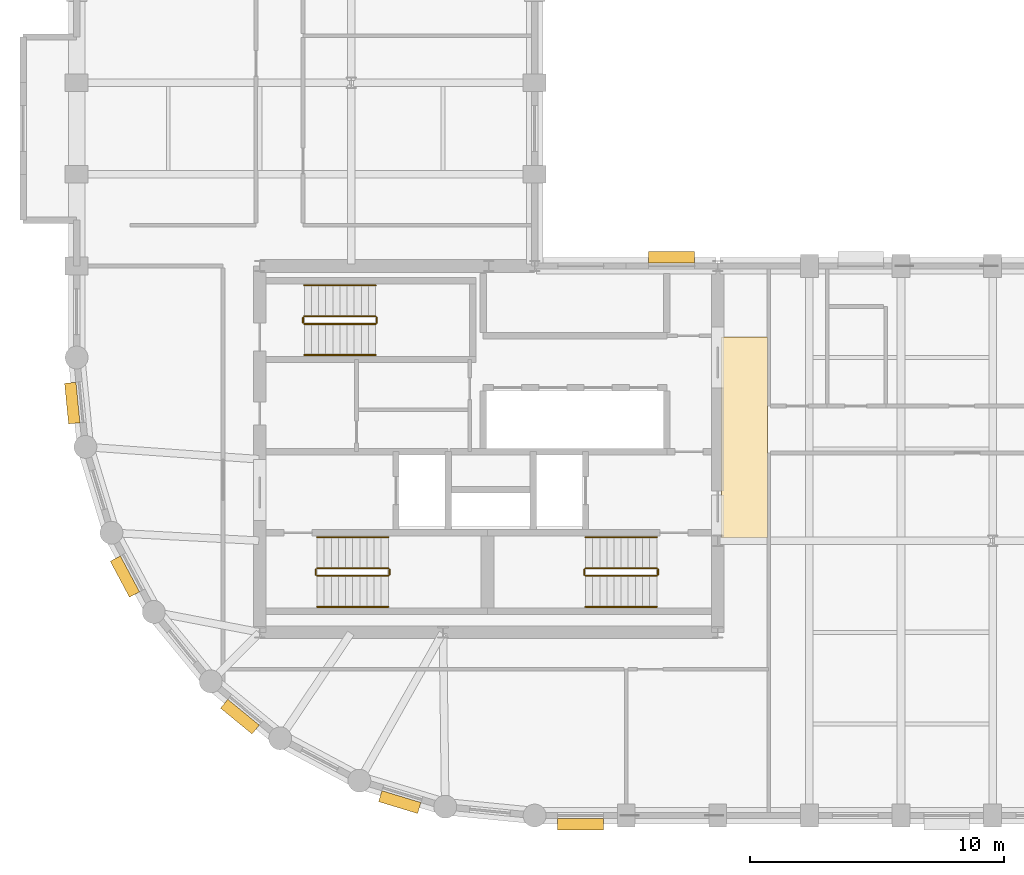
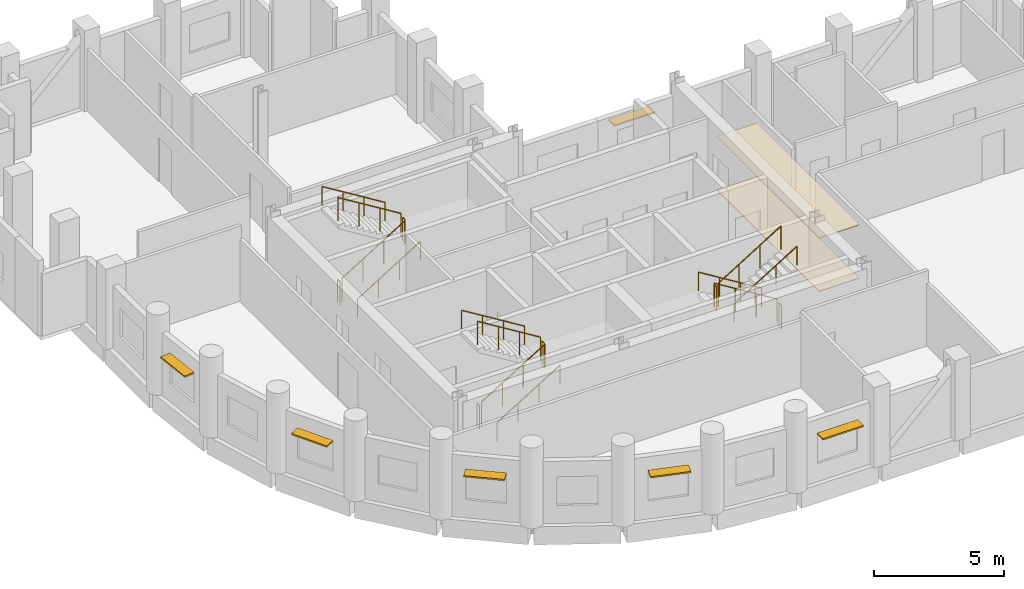
# One storey, part 7 of 8: 18 railings, 6 shading devices, 2 coverings.
"""IFC4 building model written with IfcOpenShell, lengths in metres."""

from ifc_helpers import new_model, si_unit, direction, frame, origin, origin_2d, place, context, subcontext, project, spatial, polyline, rectangle, circle, outline, extrude, material, layer, layer_set, type_object, element, save


model = new_model("IFC4")

# Units and contexts
model_context = context("Model", 3, precision=1e-05, world=origin(), true_north=direction((0.0, 1.0)))
body_context = subcontext(model_context, "Body", "Model", "MODEL_VIEW")
ifc_project = project(units=[si_unit("LENGTHUNIT", "METRE"), si_unit("AREAUNIT", "SQUARE_METRE"), si_unit("VOLUMEUNIT", "CUBIC_METRE"), si_unit("PLANEANGLEUNIT", "RADIAN"), si_unit("MASSUNIT", "GRAM", prefix="KILO")], contexts=[model_context])

# Site, building, storey
site_placement = place(None, origin())
site = spatial("IfcSite", under=ifc_project, at=site_placement, CompositionType="ELEMENT")
building_placement = place(site_placement, origin())
building = spatial("IfcBuilding", under=site, at=building_placement, Name="Solnavia Interchange Tower", CompositionType="ELEMENT")
storey_placement = place(building_placement, frame((0.0, 0.0, 197.60009765625)))
storey = spatial("IfcBuildingStorey", under=building, at=storey_placement, Name="L49", CompositionType="ELEMENT", Elevation=197.60009765625)

# Coverings
ifc_material_1 = material(Name="Perforated Mineral-Fibre & Gypsum Ceiling", Category="gypsum")
ifc_layer_1 = layer(ifc_material_1, 0.0400390625)
ifc_layer_set_1 = layer_set([ifc_layer_1], Name="Perforated Mineral-Fibre & Gypsum Ceiling")
covering_type_1 = type_object("IfcCoveringType", Name="Covering-Ceiling-Acoustic40", PredefinedType="CEILING", material=ifc_layer_set_1)
covering_1_placement = place(storey_placement, frame((0.0, 0.0, 2.5)))
element("IfcCovering", 1, at=covering_1_placement, inside=storey, type_object=covering_type_1, Name="CLG-L49-01 Circulation suspended acoustic ceiling", PredefinedType="CEILING", context=body_context, shape_type="SweptSolid", body=[
    extrude(outline(polyline([(32.550048828125, 14.5), (34.35009765625, 14.5), (34.35009765625, 22.39990234375), (32.550048828125, 22.39990234375), (32.550048828125, 14.5)])), origin(), (0.0, 0.0, 1.0), 0.039794921875),
])
ifc_material_2 = material(Name="Engineered European Oak Flooring", Category="wood")
ifc_layer_2 = layer(ifc_material_2, 0.02001953125)
ifc_layer_set_2 = layer_set([ifc_layer_2], Name="Engineered European Oak Flooring")
covering_type_2 = type_object("IfcCoveringType", Name="Covering-Flooring-Timber20", PredefinedType="FLOORING", material=ifc_layer_set_2)
covering_2_placement = place(storey_placement, origin())
element("IfcCovering", 2, at=covering_2_placement, inside=storey, type_object=covering_type_2, Name="FLR-L49-01 Circulation floor finish", PredefinedType="FLOORING", context=body_context, shape_type="SweptSolid", body=[
    extrude(outline(polyline([(32.550048828125, 14.5), (34.35009765625, 14.5), (34.35009765625, 22.39990234375), (32.550048828125, 22.39990234375), (32.550048828125, 14.5)])), origin(), (0.0, 0.0, 1.0), 0.02001953125),
])

# Railings
ifc_material_3 = material(Name="Painted Steel Balustrade", Category="steel")
railing_type_1 = type_object("IfcRailingType", Name="Railing-StairGuard-1100", PredefinedType="GUARDRAIL", material=ifc_material_3)
railing_1_placement = place(storey_placement, frame((16.64990234375, 13.02001953125, 0.172607421875)))
element("IfcRailing", 3, at=railing_1_placement, inside=storey, type_object=railing_type_1, Name="L49 ST-1 stair guard 1", PredefinedType="GUARDRAIL", context=body_context, shape_type="SweptSolid", body=[
    extrude(circle(Radius=0.02392578125, at=origin_2d()), frame((0.0, 0.0, 1.09619140625), z_axis=(0.851089632645, 0.0, 0.525020415988), x_axis=(0.0, 1.0, 0.0)), (0.0, 0.0, 1.0), 3.2900390625),
    extrude(circle(Radius=0.02099609375, at=origin_2d()), origin(), (0.0, 0.0, 1.0), 1.072021484375),
    extrude(circle(Radius=0.02099609375, at=origin_2d()), frame((0.933349609375, 0.0, 0.57568359375)), (0.0, 0.0, 1.0), 1.072021484375),
    extrude(circle(Radius=0.02099609375, at=origin_2d()), frame((1.86669921875, 0.0, 1.151611328125)), (0.0, 0.0, 1.0), 1.072021484375),
    extrude(circle(Radius=0.02099609375, at=origin_2d()), frame((2.800048828125, 0.0, 1.727294921875)), (0.0, 0.0, 1.0), 1.072021484375),
])
railing_2_placement = place(storey_placement, frame((19.5, 13.070068359375, 1.89990234375)))
element("IfcRailing", 4, at=railing_2_placement, inside=storey, type_object=railing_type_1, Name="L49 ST-1 stair guard 2", PredefinedType="GUARDRAIL", context=body_context, shape_type="SweptSolid", body=[
    extrude(circle(Radius=0.02392578125, at=origin_2d()), frame((0.0, 0.0, 1.09619140625), z_axis=(0.0, 1.0, 0.0), x_axis=(-1.0, 0.0, 0.0)), (0.0, 0.0, 1.0), 0.199951171875),
    extrude(circle(Radius=0.02099609375, at=origin_2d()), origin(), (0.0, 0.0, 1.0), 1.072021484375),
    extrude(circle(Radius=0.02099609375, at=origin_2d()), frame((0.0, 0.199951171875, 0.0)), (0.0, 0.0, 1.0), 1.072021484375),
])
railing_3_placement = place(storey_placement, frame((19.449951171875, 13.320068359375, 2.072509765625)))
element("IfcRailing", 5, at=railing_3_placement, inside=storey, type_object=railing_type_1, Name="L49 ST-1 stair guard 3", PredefinedType="GUARDRAIL", context=body_context, shape_type="SweptSolid", body=[
    extrude(circle(Radius=0.02392578125, at=origin_2d()), frame((0.0, 0.0, 1.09619140625), z_axis=(-0.851089632645, 0.0, 0.525020415988), x_axis=(0.0, -1.0, 0.0)), (0.0, 0.0, 1.0), 3.2900390625),
    extrude(circle(Radius=0.02099609375, at=origin_2d()), origin(), (0.0, 0.0, 1.0), 1.072021484375),
    extrude(circle(Radius=0.02099609375, at=origin_2d()), frame((-0.933349609375, 0.0, 0.57568359375)), (0.0, 0.0, 1.0), 1.072021484375),
    extrude(circle(Radius=0.02099609375, at=origin_2d()), frame((-1.86669921875, 0.0, 1.151611328125)), (0.0, 0.0, 1.0), 1.072021484375),
    extrude(circle(Radius=0.02099609375, at=origin_2d()), frame((-2.800048828125, 0.0, 1.727294921875)), (0.0, 0.0, 1.0), 1.072021484375),
])
railing_4_placement = place(storey_placement, frame((16.60009765625, 13.070068359375, 0.0)))
element("IfcRailing", 6, at=railing_4_placement, inside=storey, type_object=railing_type_1, Name="L49 ST-1 stair guard 4", PredefinedType="GUARDRAIL", context=body_context, shape_type="SweptSolid", body=[
    extrude(circle(Radius=0.02392578125, at=origin_2d()), frame((0.0, 0.0, 1.09619140625), z_axis=(0.0, 1.0, 0.0), x_axis=(-1.0, 0.0, 0.0)), (0.0, 0.0, 1.0), 0.199951171875),
    extrude(circle(Radius=0.02099609375, at=origin_2d()), origin(), (0.0, 0.0, 1.0), 1.072021484375),
    extrude(circle(Radius=0.02099609375, at=origin_2d()), frame((0.0, 0.199951171875, 0.0)), (0.0, 0.0, 1.0), 1.072021484375),
])
railing_5_placement = place(storey_placement, frame((30.0, 13.320068359375, 0.172607421875)))
element("IfcRailing", 7, at=railing_5_placement, inside=storey, type_object=railing_type_1, Name="L49 ST-2 stair guard 1", PredefinedType="GUARDRAIL", context=body_context, shape_type="SweptSolid", body=[
    extrude(circle(Radius=0.02392578125, at=origin_2d()), frame((0.0, 0.0, 1.09619140625), z_axis=(-0.851089632645, 0.0, 0.525020415988), x_axis=(0.0, -1.0, 0.0)), (0.0, 0.0, 1.0), 3.2900390625),
    extrude(circle(Radius=0.02099609375, at=origin_2d()), origin(), (0.0, 0.0, 1.0), 1.072021484375),
    extrude(circle(Radius=0.02099609375, at=origin_2d()), frame((-0.933349609375, 0.0, 0.57568359375)), (0.0, 0.0, 1.0), 1.072021484375),
    extrude(circle(Radius=0.02099609375, at=origin_2d()), frame((-1.86669921875, 0.0, 1.151611328125)), (0.0, 0.0, 1.0), 1.072021484375),
    extrude(circle(Radius=0.02099609375, at=origin_2d()), frame((-2.800048828125, 0.0, 1.727294921875)), (0.0, 0.0, 1.0), 1.072021484375),
])
railing_6_placement = place(storey_placement, frame((27.14990234375, 13.27001953125, 1.89990234375)))
element("IfcRailing", 8, at=railing_6_placement, inside=storey, type_object=railing_type_1, Name="L49 ST-2 stair guard 2", PredefinedType="GUARDRAIL", context=body_context, shape_type="SweptSolid", body=[
    extrude(circle(Radius=0.02392578125, at=origin_2d()), frame((0.0, 0.0, 1.09619140625), z_axis=(0.0, -1.0, 0.0), x_axis=(1.0, 0.0, 0.0)), (0.0, 0.0, 1.0), 0.199951171875),
    extrude(circle(Radius=0.02099609375, at=origin_2d()), origin(), (0.0, 0.0, 1.0), 1.072021484375),
    extrude(circle(Radius=0.02099609375, at=origin_2d()), frame((0.0, -0.199951171875, 0.0)), (0.0, 0.0, 1.0), 1.072021484375),
])
railing_7_placement = place(storey_placement, frame((27.199951171875, 13.02001953125, 2.072509765625)))
element("IfcRailing", 9, at=railing_7_placement, inside=storey, type_object=railing_type_1, Name="L49 ST-2 stair guard 3", PredefinedType="GUARDRAIL", context=body_context, shape_type="SweptSolid", body=[
    extrude(circle(Radius=0.02392578125, at=origin_2d()), frame((0.0, 0.0, 1.09619140625), z_axis=(0.851089632645, 0.0, 0.525020415988), x_axis=(0.0, 1.0, 0.0)), (0.0, 0.0, 1.0), 3.2900390625),
    extrude(circle(Radius=0.02099609375, at=origin_2d()), origin(), (0.0, 0.0, 1.0), 1.072021484375),
    extrude(circle(Radius=0.02099609375, at=origin_2d()), frame((0.933349609375, 0.0, 0.57568359375)), (0.0, 0.0, 1.0), 1.072021484375),
    extrude(circle(Radius=0.02099609375, at=origin_2d()), frame((1.86669921875, 0.0, 1.151611328125)), (0.0, 0.0, 1.0), 1.072021484375),
    extrude(circle(Radius=0.02099609375, at=origin_2d()), frame((2.800048828125, 0.0, 1.727294921875)), (0.0, 0.0, 1.0), 1.072021484375),
])
railing_8_placement = place(storey_placement, frame((30.050048828125, 13.27001953125, 0.0)))
element("IfcRailing", 10, at=railing_8_placement, inside=storey, type_object=railing_type_1, Name="L49 ST-2 stair guard 4", PredefinedType="GUARDRAIL", context=body_context, shape_type="SweptSolid", body=[
    extrude(circle(Radius=0.02392578125, at=origin_2d()), frame((0.0, 0.0, 1.09619140625), z_axis=(0.0, -1.0, 0.0), x_axis=(1.0, 0.0, 0.0)), (0.0, 0.0, 1.0), 0.199951171875),
    extrude(circle(Radius=0.02099609375, at=origin_2d()), origin(), (0.0, 0.0, 1.0), 1.072021484375),
    extrude(circle(Radius=0.02099609375, at=origin_2d()), frame((0.0, -0.199951171875, 0.0)), (0.0, 0.0, 1.0), 1.072021484375),
])
railing_9_placement = place(storey_placement, frame((16.14990234375, 22.919921875, 0.172607421875)))
element("IfcRailing", 11, at=railing_9_placement, inside=storey, type_object=railing_type_1, Name="L49 ST-3 stair guard 1", PredefinedType="GUARDRAIL", context=body_context, shape_type="SweptSolid", body=[
    extrude(circle(Radius=0.02392578125, at=origin_2d()), frame((0.0, 0.0, 1.09619140625), z_axis=(0.851089632645, 0.0, 0.525020415988), x_axis=(0.0, 1.0, 0.0)), (0.0, 0.0, 1.0), 3.2900390625),
    extrude(circle(Radius=0.02099609375, at=origin_2d()), origin(), (0.0, 0.0, 1.0), 1.072021484375),
    extrude(circle(Radius=0.02099609375, at=origin_2d()), frame((0.933349609375, 0.0, 0.57568359375)), (0.0, 0.0, 1.0), 1.072021484375),
    extrude(circle(Radius=0.02099609375, at=origin_2d()), frame((1.86669921875, 0.0, 1.151611328125)), (0.0, 0.0, 1.0), 1.072021484375),
    extrude(circle(Radius=0.02099609375, at=origin_2d()), frame((2.800048828125, 0.0, 1.727294921875)), (0.0, 0.0, 1.0), 1.072021484375),
])
railing_10_placement = place(storey_placement, frame((19.0, 22.969970703125, 1.89990234375)))
element("IfcRailing", 12, at=railing_10_placement, inside=storey, type_object=railing_type_1, Name="L49 ST-3 stair guard 2", PredefinedType="GUARDRAIL", context=body_context, shape_type="SweptSolid", body=[
    extrude(circle(Radius=0.02392578125, at=origin_2d()), frame((0.0, 0.0, 1.09619140625), z_axis=(0.0, 1.0, 0.0), x_axis=(-1.0, 0.0, 0.0)), (0.0, 0.0, 1.0), 0.199951171875),
    extrude(circle(Radius=0.02099609375, at=origin_2d()), origin(), (0.0, 0.0, 1.0), 1.072021484375),
    extrude(circle(Radius=0.02099609375, at=origin_2d()), frame((0.0, 0.199951171875, 0.0)), (0.0, 0.0, 1.0), 1.072021484375),
])
railing_11_placement = place(storey_placement, frame((18.949951171875, 23.219970703125, 2.072509765625)))
element("IfcRailing", 13, at=railing_11_placement, inside=storey, type_object=railing_type_1, Name="L49 ST-3 stair guard 3", PredefinedType="GUARDRAIL", context=body_context, shape_type="SweptSolid", body=[
    extrude(circle(Radius=0.02392578125, at=origin_2d()), frame((0.0, 0.0, 1.09619140625), z_axis=(-0.851089632645, 0.0, 0.525020415988), x_axis=(0.0, -1.0, 0.0)), (0.0, 0.0, 1.0), 3.2900390625),
    extrude(circle(Radius=0.02099609375, at=origin_2d()), origin(), (0.0, 0.0, 1.0), 1.072021484375),
    extrude(circle(Radius=0.02099609375, at=origin_2d()), frame((-0.933349609375, 0.0, 0.57568359375)), (0.0, 0.0, 1.0), 1.072021484375),
    extrude(circle(Radius=0.02099609375, at=origin_2d()), frame((-1.86669921875, 0.0, 1.151611328125)), (0.0, 0.0, 1.0), 1.072021484375),
    extrude(circle(Radius=0.02099609375, at=origin_2d()), frame((-2.800048828125, 0.0, 1.727294921875)), (0.0, 0.0, 1.0), 1.072021484375),
])
railing_12_placement = place(storey_placement, frame((16.10009765625, 22.969970703125, 0.0)))
element("IfcRailing", 14, at=railing_12_placement, inside=storey, type_object=railing_type_1, Name="L49 ST-3 stair guard 4", PredefinedType="GUARDRAIL", context=body_context, shape_type="SweptSolid", body=[
    extrude(circle(Radius=0.02392578125, at=origin_2d()), frame((0.0, 0.0, 1.09619140625), z_axis=(0.0, 1.0, 0.0), x_axis=(-1.0, 0.0, 0.0)), (0.0, 0.0, 1.0), 0.199951171875),
    extrude(circle(Radius=0.02099609375, at=origin_2d()), origin(), (0.0, 0.0, 1.0), 1.072021484375),
    extrude(circle(Radius=0.02099609375, at=origin_2d()), frame((0.0, 0.199951171875, 0.0)), (0.0, 0.0, 1.0), 1.072021484375),
])
ifc_material_4 = material(Name="Brushed Stainless Steel", Category="steel")
railing_type_2 = type_object("IfcRailingType", Name="Railing-StairHandrail-900", PredefinedType="HANDRAIL", material=ifc_material_4)
railing_13_placement = place(storey_placement, frame((16.64990234375, 11.800048828125, 0.172607421875)))
element("IfcRailing", 15, at=railing_13_placement, inside=storey, type_object=railing_type_2, Name="L49 ST-1 stair handrail 1", PredefinedType="HANDRAIL", context=body_context, shape_type="SweptSolid", body=[
    extrude(circle(Radius=0.02392578125, at=origin_2d()), frame((0.0, 0.0, 0.8759765625), z_axis=(0.851089632645, 0.0, 0.525020415988), x_axis=(0.0, 1.0, 0.0)), (0.0, 0.0, 1.0), 3.2900390625),
    extrude(circle(Radius=0.02099609375, at=origin_2d()), origin(), (0.0, 0.0, 1.0), 0.851806640625),
    extrude(circle(Radius=0.02099609375, at=origin_2d()), frame((0.933349609375, 0.0, 0.57568359375)), (0.0, 0.0, 1.0), 0.851806640625),
    extrude(circle(Radius=0.02099609375, at=origin_2d()), frame((1.86669921875, 0.0, 1.151611328125)), (0.0, 0.0, 1.0), 0.851806640625),
    extrude(circle(Radius=0.02099609375, at=origin_2d()), frame((2.800048828125, 0.0, 1.727294921875)), (0.0, 0.0, 1.0), 0.851806640625),
])
for number, where, name in (
    (16, (19.449951171875, 14.5400390625, 2.072509765625), "L49 ST-1 stair handrail 2"),
    (17, (30.0, 14.5400390625, 0.172607421875), "L49 ST-2 stair handrail 1"),
):
    element("IfcRailing", number, at=place(storey_placement, frame(where)), inside=storey, type_object=railing_type_2, Name=name, PredefinedType="HANDRAIL", context=body_context, shape_type="SweptSolid", body=[
        extrude(circle(Radius=0.02392578125, at=origin_2d()), frame((0.0, 0.0, 0.8759765625), z_axis=(-0.851089632645, 0.0, 0.525020415988), x_axis=(0.0, -1.0, 0.0)), (0.0, 0.0, 1.0), 3.2900390625),
        extrude(circle(Radius=0.02099609375, at=origin_2d()), origin(), (0.0, 0.0, 1.0), 0.851806640625),
        extrude(circle(Radius=0.02099609375, at=origin_2d()), frame((-0.933349609375, 0.0, 0.57568359375)), (0.0, 0.0, 1.0), 0.851806640625),
        extrude(circle(Radius=0.02099609375, at=origin_2d()), frame((-1.86669921875, 0.0, 1.151611328125)), (0.0, 0.0, 1.0), 0.851806640625),
        extrude(circle(Radius=0.02099609375, at=origin_2d()), frame((-2.800048828125, 0.0, 1.727294921875)), (0.0, 0.0, 1.0), 0.851806640625),
    ])
for number, where, name in (
    (18, (27.199951171875, 11.800048828125, 2.072509765625), "L49 ST-2 stair handrail 2"),
    (19, (16.14990234375, 21.699951171875, 0.172607421875), "L49 ST-3 stair handrail 1"),
):
    element("IfcRailing", number, at=place(storey_placement, frame(where)), inside=storey, type_object=railing_type_2, Name=name, PredefinedType="HANDRAIL", context=body_context, shape_type="SweptSolid", body=[
        extrude(circle(Radius=0.02392578125, at=origin_2d()), frame((0.0, 0.0, 0.8759765625), z_axis=(0.851089632645, 0.0, 0.525020415988), x_axis=(0.0, 1.0, 0.0)), (0.0, 0.0, 1.0), 3.2900390625),
        extrude(circle(Radius=0.02099609375, at=origin_2d()), origin(), (0.0, 0.0, 1.0), 0.851806640625),
        extrude(circle(Radius=0.02099609375, at=origin_2d()), frame((0.933349609375, 0.0, 0.57568359375)), (0.0, 0.0, 1.0), 0.851806640625),
        extrude(circle(Radius=0.02099609375, at=origin_2d()), frame((1.86669921875, 0.0, 1.151611328125)), (0.0, 0.0, 1.0), 0.851806640625),
        extrude(circle(Radius=0.02099609375, at=origin_2d()), frame((2.800048828125, 0.0, 1.727294921875)), (0.0, 0.0, 1.0), 0.851806640625),
    ])
railing_14_placement = place(storey_placement, frame((18.949951171875, 24.43994140625, 2.072509765625)))
element("IfcRailing", 20, at=railing_14_placement, inside=storey, type_object=railing_type_2, Name="L49 ST-3 stair handrail 2", PredefinedType="HANDRAIL", context=body_context, shape_type="SweptSolid", body=[
    extrude(circle(Radius=0.02392578125, at=origin_2d()), frame((0.0, 0.0, 0.8759765625), z_axis=(-0.851089632645, 0.0, 0.525020415988), x_axis=(0.0, -1.0, 0.0)), (0.0, 0.0, 1.0), 3.2900390625),
    extrude(circle(Radius=0.02099609375, at=origin_2d()), origin(), (0.0, 0.0, 1.0), 0.851806640625),
    extrude(circle(Radius=0.02099609375, at=origin_2d()), frame((-0.933349609375, 0.0, 0.57568359375)), (0.0, 0.0, 1.0), 0.851806640625),
    extrude(circle(Radius=0.02099609375, at=origin_2d()), frame((-1.86669921875, 0.0, 1.151611328125)), (0.0, 0.0, 1.0), 0.851806640625),
    extrude(circle(Radius=0.02099609375, at=origin_2d()), frame((-2.800048828125, 0.0, 1.727294921875)), (0.0, 0.0, 1.0), 0.851806640625),
])

# Shading devices
ifc_material_5 = material(Name="Anodised Aluminium Sunshade", Category="aluminium")
ifc_layer_3 = layer(ifc_material_5, 0.070068359375)
ifc_layer_set_3 = layer_set([ifc_layer_3], Name="Anodised Aluminium Sunshade")
shading_device_type = type_object("IfcShadingDeviceType", Name="Sunshade-Band-450", PredefinedType="JALOUSIE", material=ifc_layer_set_3)
for number, where, z_axis, x_axis, name in (
    (21, (27.0, 3.2548828125, 2.22509765625), (0.0, 0.0, 1.0), (-1.0, 0.0, 0.0), "SHD-L49-01 Horizontal sunshade band"),
    (22, (30.583984375, 25.544921875, 2.22509765625), (0.0, 0.0, 1.0), (1.0, 0.0, 0.0), "SHD-L49-23 Horizontal sunshade band"),
):
    element("IfcShadingDevice", number, at=place(storey_placement, frame(where, z_axis=z_axis, x_axis=x_axis)), inside=storey, type_object=shading_device_type, Name=name, PredefinedType="JALOUSIE", context=body_context, shape_type="SweptSolid", body=[
        extrude(rectangle(XDim=1.800048828125, YDim=0.449951171875, at=origin_2d()), origin(), (0.0, 0.0, 1.0), 0.070068359375),
    ])
for number, where, z_axis, x_axis, name in (
    (23, (7.029541015625, 19.810791015625, 2.22509765625), (0.0, 0.0, 1.0), (-0.098103986207, 0.995176169274, 0.0), "SHD-L49-47 Horizontal sunshade band"),
    (24, (9.097900390625, 12.992919921875, 2.22509765625), (0.0, 0.0, 1.0), (-0.47147369718, 0.881880123865, 0.0), "SHD-L49-49 Horizontal sunshade band"),
    (25, (13.617431640625, 7.486083984375, 2.22509765625), (0.0, 0.0, 1.0), (-0.773176510644, 0.634190888762, 0.0), "SHD-L49-51 Horizontal sunshade band"),
    (26, (19.89990234375, 4.1279296875, 2.22509765625), (0.0, 0.0, 1.0), (-0.956965664205, 0.290201167351, 0.0), "SHD-L49-53 Horizontal sunshade band"),
):
    element("IfcShadingDevice", number, at=place(storey_placement, frame(where, z_axis=z_axis, x_axis=x_axis)), inside=storey, type_object=shading_device_type, Name=name, PredefinedType="JALOUSIE", context=body_context, shape_type="SweptSolid", body=[
        extrude(rectangle(XDim=1.60009765625, YDim=0.449951171875, at=origin_2d()), origin(), (0.0, 0.0, 1.0), 0.070068359375),
    ])

save(model, "model.ifc")
